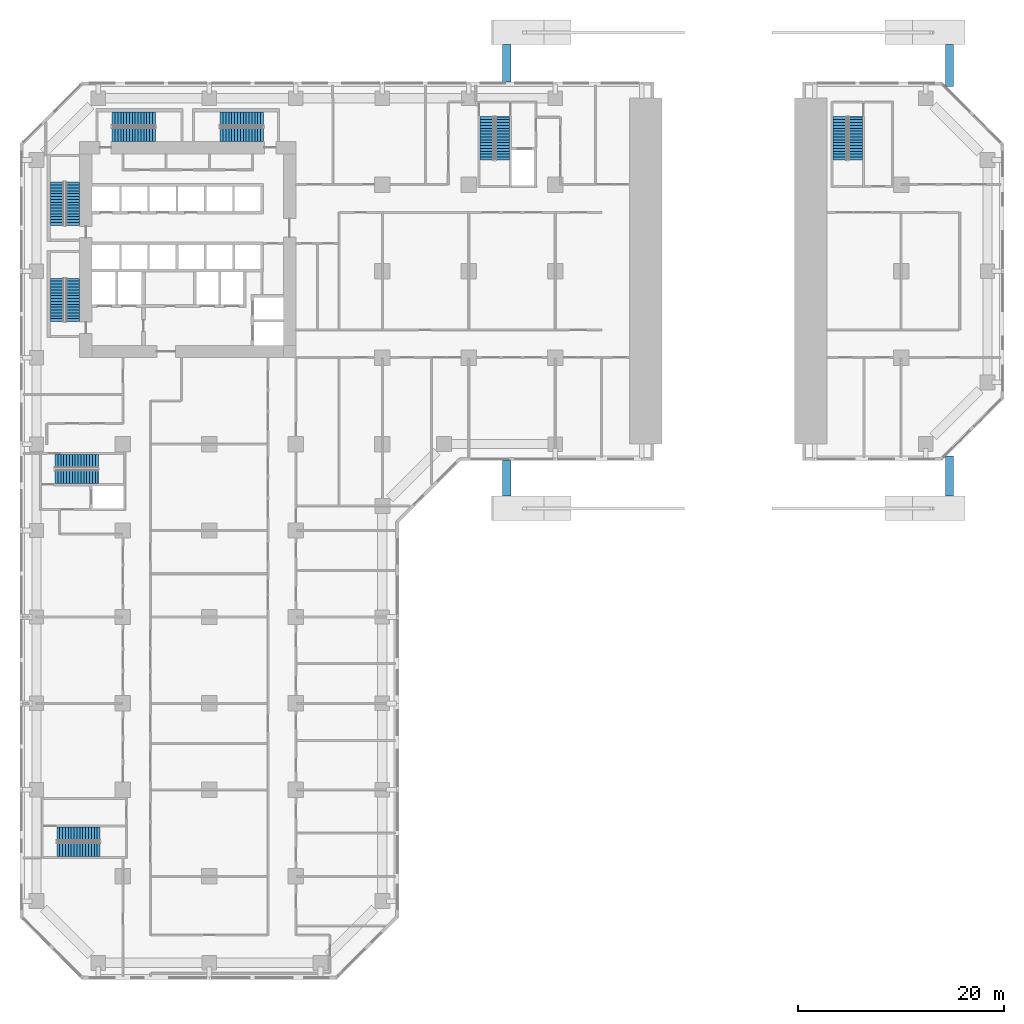
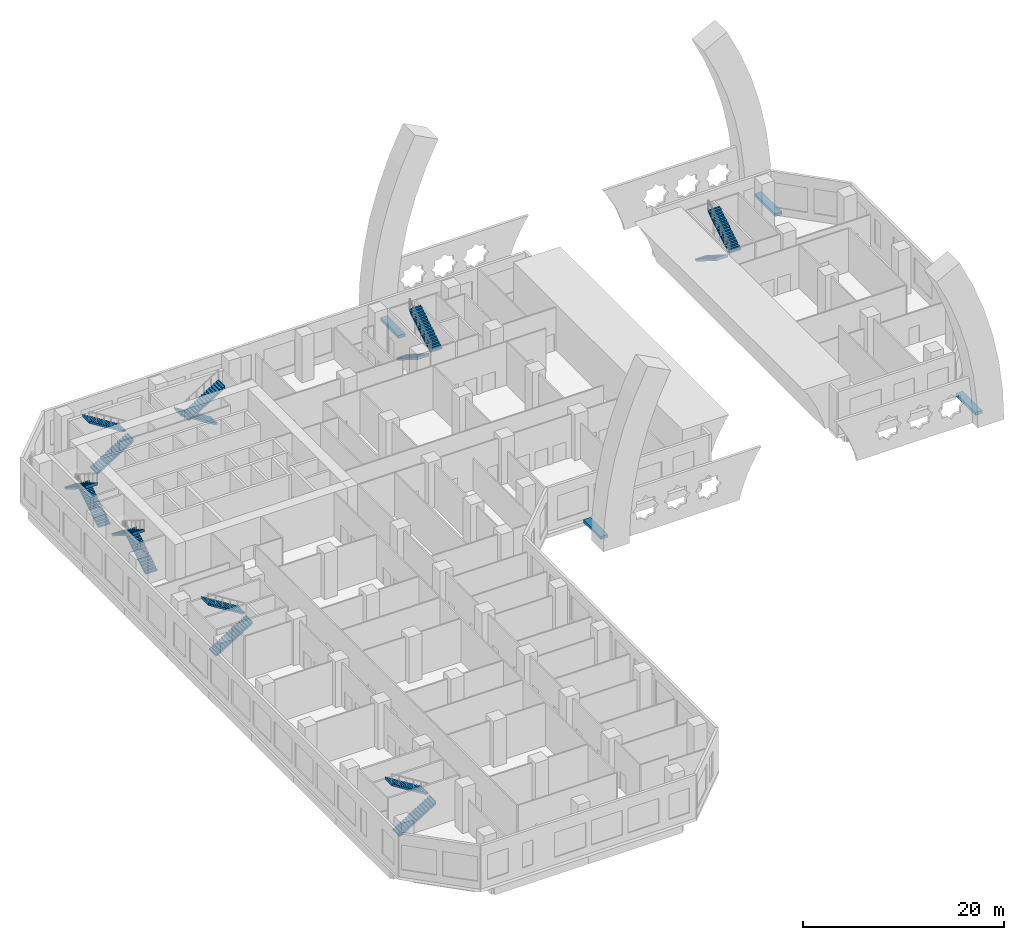
# One storey, part 13 of 19: 16 stair flights, 4 discrete accessories, 8 elements without a shape of their own.
"""IFC4 building model written with IfcOpenShell, lengths in metres."""

import ifcopenshell
import ifcopenshell.guid

model = None  # the IFC model being written
_history = None  # IfcOwnerHistory: only IFC2X3 demands one
_inside = {}  # id of a spatial element -> (the spatial element, [elements in it])
_under = {}  # id of a project, library or spatial element -> (it, [spatial elements below it])
_declared = {}  # id of a project -> (the project, [libraries it declares])
_typed = {}  # id of a type object -> (the type object, [elements of that type])
_made_of = {}  # id of a material, layer set ... -> (it, [elements and type objects made of it])


def new_model(schema):
    """Start an empty IFC model of exactly this schema.

    Asked for "IFC4X3", IfcOpenShell would pick the latest addendum, in which some entities
    have other attributes; the version numbers below select the first issue.
    IFC2X3 requires an IfcOwnerHistory on every rooted entity: one is made here for all.
    """
    global model, _history
    if schema == "IFC4X3":
        model = ifcopenshell.file(schema_version=(4, 3, 0, 0))
    else:
        model = ifcopenshell.file(schema=schema)
    _inside.clear()
    _under.clear()
    _declared.clear()
    _typed.clear()
    _made_of.clear()
    _history = None
    if model.schema == "IFC2X3":
        org = make("IfcOrganization", Name="unknown")
        user = make(
            "IfcPersonAndOrganization",
            ThePerson=make("IfcPerson", FamilyName="unknown"),
            TheOrganization=org,
        )
        app = make(
            "IfcApplication",
            ApplicationDeveloper=org,
            Version="unknown",
            ApplicationFullName="unknown",
            ApplicationIdentifier="unknown",
        )
        _history = make(
            "IfcOwnerHistory",
            OwningUser=user,
            OwningApplication=app,
            ChangeAction="ADDED",
            CreationDate=0,
        )
    return model


def make(cls, **values):
    """One entity of the class cls with the attributes given. An attribute that is None is left unset."""
    return model.create_entity(
        cls, **{name: value for name, value in values.items() if value is not None}
    )


def rooted(cls, **values):
    """An entity with a GlobalId (a new one), such as an element, a storey or a relation."""
    return make(cls, GlobalId=ifcopenshell.guid.new(), OwnerHistory=_history, **values)


def si_unit(unit_type, name, prefix=None):
    """IfcSIUnit, for example si_unit("LENGTHUNIT", "METRE", prefix="MILLI")."""
    return make("IfcSIUnit", UnitType=unit_type, Prefix=prefix, Name=name)


def assignment(units):
    """IfcUnitAssignment: the units of a project."""
    return None if units is None else make("IfcUnitAssignment", Units=units)


def point(xyz):
    """IfcCartesianPoint."""
    return None if xyz is None else make("IfcCartesianPoint", Coordinates=xyz)


def direction(xyz):
    """IfcDirection."""
    return None if xyz is None else make("IfcDirection", DirectionRatios=xyz)


def frame(location, z_axis=None, x_axis=None):
    """IfcAxis2Placement3D, a coordinate frame: its origin and axes. An axis left out is left unset."""
    return make(
        "IfcAxis2Placement3D",
        Location=point(location),
        Axis=direction(z_axis),
        RefDirection=direction(x_axis),
    )


def frame_2d(location, x_axis=None):
    """IfcAxis2Placement2D, a coordinate frame in the plane: its origin and x axis."""
    return make(
        "IfcAxis2Placement2D", Location=point(location), RefDirection=direction(x_axis)
    )


def origin():
    """The frame at (0, 0, 0) with its axes left unset."""
    return frame((0.0, 0.0, 0.0))


def origin_2d():
    """The frame at (0, 0) in the plane with its x axis left unset."""
    return frame_2d((0.0, 0.0))


def place(relative_to, where):
    """IfcLocalPlacement: puts the frame where relative to a parent placement (None: the world)."""
    return make(
        "IfcLocalPlacement", PlacementRelTo=relative_to, RelativePlacement=where
    )


def context(
    kind, dimensions, precision=None, world=None, true_north=None, identifier=None
):
    """IfcGeometricRepresentationContext, for example the 3D "Model" context."""
    return make(
        "IfcGeometricRepresentationContext",
        ContextIdentifier=identifier,
        ContextType=kind,
        CoordinateSpaceDimension=dimensions,
        Precision=precision,
        WorldCoordinateSystem=world,
        TrueNorth=true_north,
    )


def subcontext(parent, identifier, kind, view, scale=None):
    """IfcGeometricRepresentationSubContext, for example "Body" below "Model"."""
    return make(
        "IfcGeometricRepresentationSubContext",
        ContextIdentifier=identifier,
        ContextType=kind,
        ParentContext=parent,
        TargetScale=scale,
        TargetView=view,
    )


def project(units=None, contexts=None):
    """IfcProject with its units and contexts."""
    return rooted(
        "IfcProject",
        Name="project",
        RepresentationContexts=contexts,
        UnitsInContext=assignment(units),
    )


def spatial(cls, under=None, at=None, **own):
    """A site, building, storey or space (cls), placed at a placement, below another one or the project."""
    s = rooted(cls, ObjectPlacement=at, **own)
    if under is not None:
        _under.setdefault(under.id(), (under, []))[1].append(s)
    return s


def polyline(points):
    """IfcPolyline through the points."""
    return make("IfcPolyline", Points=[point(p) for p in points])


def profile(cls, at=None, kind="AREA", **sizes):
    """A parametric profile (cls). Its sizes go by their IFC names, for example OverallWidth=200.0."""
    return make(cls, ProfileType=kind, Position=at, **sizes)


def rectangle(**sizes):
    """IfcRectangleProfileDef."""
    return profile("IfcRectangleProfileDef", **sizes)


def outline(outer, holes=None, kind="AREA"):
    """IfcArbitraryClosedProfileDef: a profile drawn as a closed curve; with holes, ...WithVoids."""
    if holes is None:
        return make("IfcArbitraryClosedProfileDef", ProfileType=kind, OuterCurve=outer)
    return make(
        "IfcArbitraryProfileDefWithVoids",
        ProfileType=kind,
        OuterCurve=outer,
        InnerCurves=holes,
    )


def extrude(swept, where, along, depth):
    """IfcExtrudedAreaSolid: the profile swept, set in the frame where, extruded along a direction by depth."""
    return make(
        "IfcExtrudedAreaSolid",
        SweptArea=swept,
        Position=where,
        ExtrudedDirection=direction(along),
        Depth=depth,
    )


def shape(context_of_items, identifier, shape_type, items):
    """IfcShapeRepresentation: the items that make up one representation, for example the "Body"."""
    return make(
        "IfcShapeRepresentation",
        ContextOfItems=context_of_items,
        RepresentationIdentifier=identifier,
        RepresentationType=shape_type,
        Items=items,
    )


def material(Name=None, Category=None):
    """IfcMaterial."""
    return make("IfcMaterial", Name=Name, Category=Category)


def made_of(thing, what):
    """Note that an element or type object is made of a material, layer set ...; save() writes the relation."""
    if what is not None:
        _made_of.setdefault(what.id(), (what, []))[1].append(thing)
    return thing


def type_object(cls, material=None, **own):
    """A type object (cls), such as IfcWallType, which elements share."""
    return made_of(rooted(cls, **own), material)


def element(
    cls,
    number,
    at=None,
    inside=None,
    cuts=None,
    type_object=None,
    material=None,
    context=None,
    identifier="Body",
    shape_type=None,
    held_by="IfcProductDefinitionShape",
    body=None,
    shapes=None,
    **own,
):
    """One element of the class cls, such as IfcWall. Its Tag is "e" and its number.

    at: its placement. inside: the storey or other place that contains it. cuts: it is an
    opening in that element (IfcRelVoidsElement). A single representation is given by context,
    identifier, shape_type and body (its items); several are given by shapes. held_by: the class
    of the entity that holds the representations. save() writes the other relations.
    """
    e = rooted(cls, Tag="e%d" % number, ObjectPlacement=at, **own)
    if body is not None:
        shapes = [shape(context, identifier, shape_type, body)]
    if shapes is not None:
        e.Representation = make(held_by, Representations=shapes)
    if inside is not None:
        _inside.setdefault(inside.id(), (inside, []))[1].append(e)
    if cuts is not None:
        rooted(
            "IfcRelVoidsElement", RelatingBuildingElement=cuts, RelatedOpeningElement=e
        )
    if type_object is not None:
        _typed.setdefault(type_object.id(), (type_object, []))[1].append(e)
    return made_of(e, material)


def aggregate(whole, parts):
    """IfcRelAggregates: a whole, such as a stair, and the parts it consists of."""
    return rooted("IfcRelAggregates", RelatingObject=whole, RelatedObjects=parts)


def save(model, path):
    """Write the relations noted so far, then the file.

    IfcRelAggregates (storeys below a building ...), IfcRelContainedInSpatialStructure (elements
    in a storey), IfcRelDefinesByType, IfcRelAssociatesMaterial and IfcRelDeclares: one each for
    every whole, place, type object, material and project.
    """
    for whole, parts in _under.values():
        aggregate(whole, parts)
    for where, things in _inside.values():
        rooted(
            "IfcRelContainedInSpatialStructure",
            RelatedElements=things,
            RelatingStructure=where,
        )
    for kind, things in _typed.values():
        rooted("IfcRelDefinesByType", RelatedObjects=things, RelatingType=kind)
    for what, things in _made_of.values():
        rooted("IfcRelAssociatesMaterial", RelatedObjects=things, RelatingMaterial=what)
    for by, libraries in _declared.values():
        rooted("IfcRelDeclares", RelatingContext=by, RelatedDefinitions=libraries)
    model.write(path)


model = new_model("IFC4")

# Units and contexts
model_context = context("Model", 3, precision=1e-05, world=origin(), true_north=direction((0.0, 1.0)))
body_context = subcontext(model_context, "Body", "Model", "MODEL_VIEW")
ifc_project = project(units=[si_unit("LENGTHUNIT", "METRE"), si_unit("AREAUNIT", "SQUARE_METRE"), si_unit("VOLUMEUNIT", "CUBIC_METRE"), si_unit("PLANEANGLEUNIT", "RADIAN"), si_unit("MASSUNIT", "GRAM", prefix="KILO")], contexts=[model_context])

# Site, building, storey
site_placement = place(None, origin())
site = spatial("IfcSite", under=ifc_project, at=site_placement, CompositionType="ELEMENT")
building_placement = place(site_placement, origin())
building = spatial("IfcBuilding", under=site, at=building_placement, Name="Kawkab Arch Medical Tower", CompositionType="ELEMENT")
storey_placement = place(building_placement, frame((0.0, 0.0, 12.60009765625)))
storey = spatial("IfcBuildingStorey", under=building, at=storey_placement, Name="L03", CompositionType="ELEMENT", Elevation=12.60009765625)

# Stair, stair flights
ifc_material_1 = material(Name="Concrete C40/50", Category="concrete")
stair_type = type_object("IfcStairType", Name="Exit stair 1350", PredefinedType="HALF_TURN_STAIR", material=ifc_material_1)
placement = place(storey_placement, origin())
stair_1 = element("IfcStair", 1, at=placement, inside=storey, type_object=stair_type, Name="L03 Exit stair ST1", PredefinedType="HALF_TURN_STAIR")
ifc_material_2 = material(Name="Concrete C40/50", Category="concrete")
stair_flight_type = type_object("IfcStairFlightType", Name="Exit stair flight 1350", PredefinedType="STRAIGHT", material=ifc_material_2)
stair_flight_1_placement = place(storey_placement, frame((3.52490234375, -12.35009765625, 0.0), z_axis=(0.0, 0.0, 1.0), x_axis=(0.0, 1.0, 0.0)))
stair_flight_1 = element("IfcStairFlight", 2, at=stair_flight_1_placement, type_object=stair_flight_type, Name="ST1 flight 1", NumberOfRisers=16, NumberOfTreads=15, PredefinedType="STRAIGHT", RiserHeight=0.175, TreadLength=0.28, context=body_context, shape_type="SweptSolid", body=[
    extrude(outline(polyline([(-0.0029296875, 0.0), (-0.0029296875, 0.175048828125), (0.0, 0.175048828125), (0.280029296875, 0.175048828125), (0.280029296875, 0.35009765625), (0.56005859375, 0.35009765625), (0.56005859375, 0.52490234375), (0.840087890625, 0.52490234375), (0.840087890625, 0.699951171875), (1.1201171875, 0.699951171875), (1.1201171875, 0.875), (1.39990234375, 0.875), (1.39990234375, 1.050048828125), (1.679931640625, 1.050048828125), (1.679931640625, 1.22509765625), (1.9599609375, 1.22509765625), (1.9599609375, 1.39990234375), (2.239990234375, 1.39990234375), (2.239990234375, 1.574951171875), (2.52001953125, 1.574951171875), (2.52001953125, 1.75), (2.800048828125, 1.75), (2.800048828125, 1.925048828125), (3.080078125, 1.925048828125), (3.080078125, 2.10009765625), (3.360107421875, 2.10009765625), (3.360107421875, 2.27490234375), (3.639892578125, 2.27490234375), (3.639892578125, 2.449951171875), (3.919921875, 2.449951171875), (3.919921875, 2.625), (4.199951171875, 2.625), (4.199951171875, 2.800048828125), (4.202880859375, 2.800048828125), (4.202880859375, 2.4482421875), (4.199951171875, 2.4482421875), (0.28271484375, 0.0), (-0.0029296875, 0.0)])), frame((0.0, 0.675048828125, 0.0), z_axis=(0.0, -1.0, 0.0), x_axis=(1.0, 0.0, 0.0)), (0.0, 0.0, 1.0), 1.35009765625),
])
stair_flight_2_placement = place(storey_placement, frame((2.02490234375, -8.14990234375, 2.7998046875), z_axis=(0.0, 0.0, 1.0), x_axis=(0.0, -1.0, 0.0)))
stair_flight_2 = element("IfcStairFlight", 3, at=stair_flight_2_placement, type_object=stair_flight_type, Name="ST1 flight 2", NumberOfRisers=16, NumberOfTreads=15, PredefinedType="STRAIGHT", RiserHeight=0.175, TreadLength=0.28, context=body_context, shape_type="SweptSolid", body=[
    extrude(outline(polyline([(-0.0029296875, 0.0), (-0.0029296875, 0.175048828125), (0.0, 0.175048828125), (0.280029296875, 0.175048828125), (0.280029296875, 0.35009765625), (0.56005859375, 0.35009765625), (0.56005859375, 0.52490234375), (0.840087890625, 0.52490234375), (0.840087890625, 0.699951171875), (1.1201171875, 0.699951171875), (1.1201171875, 0.875), (1.39990234375, 0.875), (1.39990234375, 1.050048828125), (1.679931640625, 1.050048828125), (1.679931640625, 1.22509765625), (1.9599609375, 1.22509765625), (1.9599609375, 1.39990234375), (2.239990234375, 1.39990234375), (2.239990234375, 1.574951171875), (2.52001953125, 1.574951171875), (2.52001953125, 1.75), (2.800048828125, 1.75), (2.800048828125, 1.925048828125), (3.080078125, 1.925048828125), (3.080078125, 2.10009765625), (3.360107421875, 2.10009765625), (3.360107421875, 2.27490234375), (3.639892578125, 2.27490234375), (3.639892578125, 2.449951171875), (3.919921875, 2.449951171875), (3.919921875, 2.625), (4.199951171875, 2.625), (4.199951171875, 2.800048828125), (4.202880859375, 2.800048828125), (4.202880859375, 2.4482421875), (4.199951171875, 2.4482421875), (0.28271484375, 0.0), (-0.0029296875, 0.0)])), frame((0.0, 0.675048828125, 0.0), z_axis=(0.0, -1.0, 0.0), x_axis=(1.0, 0.0, 0.0)), (0.0, 0.0, 1.0), 1.35009765625),
])
aggregate(stair_1, [stair_flight_1, stair_flight_2])

stair_2 = element("IfcStair", 4, at=placement, inside=storey, type_object=stair_type, Name="L03 Exit stair ST10", PredefinedType="HALF_TURN_STAIR")
stair_flight_3_placement = place(storey_placement, frame((1.97509765625, -72.97509765625, 0.0), z_axis=(0.0, 0.0, 1.0), x_axis=(1.0, 0.0, 0.0)))
stair_flight_3 = element("IfcStairFlight", 5, at=stair_flight_3_placement, type_object=stair_flight_type, Name="ST10 flight 1", NumberOfRisers=16, NumberOfTreads=15, PredefinedType="STRAIGHT", RiserHeight=0.175, TreadLength=0.28, context=body_context, shape_type="SweptSolid", body=[
    extrude(outline(polyline([(-0.0029296875, 0.0), (-0.0029296875, 0.175048828125), (0.0, 0.175048828125), (0.280029296875, 0.175048828125), (0.280029296875, 0.35009765625), (0.56005859375, 0.35009765625), (0.56005859375, 0.52490234375), (0.840087890625, 0.52490234375), (0.840087890625, 0.699951171875), (1.1201171875, 0.699951171875), (1.1201171875, 0.875), (1.39990234375, 0.875), (1.39990234375, 1.050048828125), (1.679931640625, 1.050048828125), (1.679931640625, 1.22509765625), (1.9599609375, 1.22509765625), (1.9599609375, 1.39990234375), (2.239990234375, 1.39990234375), (2.239990234375, 1.574951171875), (2.52001953125, 1.574951171875), (2.52001953125, 1.75), (2.800048828125, 1.75), (2.800048828125, 1.925048828125), (3.080078125, 1.925048828125), (3.080078125, 2.10009765625), (3.360107421875, 2.10009765625), (3.360107421875, 2.27490234375), (3.639892578125, 2.27490234375), (3.639892578125, 2.449951171875), (3.919921875, 2.449951171875), (3.919921875, 2.625), (4.199951171875, 2.625), (4.199951171875, 2.800048828125), (4.202880859375, 2.800048828125), (4.202880859375, 2.4482421875), (4.199951171875, 2.4482421875), (0.28271484375, 0.0), (-0.0029296875, 0.0)])), frame((0.0, 0.675048828125, 0.0), z_axis=(0.0, -1.0, 0.0), x_axis=(1.0, 0.0, 0.0)), (0.0, 0.0, 1.0), 1.35009765625),
])
stair_flight_4_placement = place(storey_placement, frame((6.175048828125, -71.47509765625, 2.7998046875), z_axis=(0.0, 0.0, 1.0), x_axis=(-1.0, 0.0, 0.0)))
stair_flight_4 = element("IfcStairFlight", 6, at=stair_flight_4_placement, type_object=stair_flight_type, Name="ST10 flight 2", NumberOfRisers=16, NumberOfTreads=15, PredefinedType="STRAIGHT", RiserHeight=0.175, TreadLength=0.28, context=body_context, shape_type="SweptSolid", body=[
    extrude(outline(polyline([(-0.0029296875, 0.0), (-0.0029296875, 0.175048828125), (0.0, 0.175048828125), (0.280029296875, 0.175048828125), (0.280029296875, 0.35009765625), (0.56005859375, 0.35009765625), (0.56005859375, 0.52490234375), (0.840087890625, 0.52490234375), (0.840087890625, 0.699951171875), (1.1201171875, 0.699951171875), (1.1201171875, 0.875), (1.39990234375, 0.875), (1.39990234375, 1.050048828125), (1.679931640625, 1.050048828125), (1.679931640625, 1.22509765625), (1.9599609375, 1.22509765625), (1.9599609375, 1.39990234375), (2.239990234375, 1.39990234375), (2.239990234375, 1.574951171875), (2.52001953125, 1.574951171875), (2.52001953125, 1.75), (2.800048828125, 1.75), (2.800048828125, 1.925048828125), (3.080078125, 1.925048828125), (3.080078125, 2.10009765625), (3.360107421875, 2.10009765625), (3.360107421875, 2.27490234375), (3.639892578125, 2.27490234375), (3.639892578125, 2.449951171875), (3.919921875, 2.449951171875), (3.919921875, 2.625), (4.199951171875, 2.625), (4.199951171875, 2.800048828125), (4.202880859375, 2.800048828125), (4.202880859375, 2.4482421875), (4.199951171875, 2.4482421875), (0.28271484375, 0.0), (-0.0029296875, 0.0)])), frame((0.0, 0.675048828125, 0.0), z_axis=(0.0, -1.0, 0.0), x_axis=(1.0, 0.0, 0.0)), (0.0, 0.0, 1.0), 1.35009765625),
])
aggregate(stair_2, [stair_flight_3, stair_flight_4])

stair_3 = element("IfcStair", 7, at=placement, inside=storey, type_object=stair_type, Name="L03 Exit stair ST2", PredefinedType="HALF_TURN_STAIR")
stair_flight_5_placement = place(storey_placement, frame((3.52490234375, -21.699951171875, 0.0), z_axis=(0.0, 0.0, 1.0), x_axis=(0.0, 1.0, 0.0)))
stair_flight_5 = element("IfcStairFlight", 8, at=stair_flight_5_placement, type_object=stair_flight_type, Name="ST2 flight 1", NumberOfRisers=16, NumberOfTreads=15, PredefinedType="STRAIGHT", RiserHeight=0.175, TreadLength=0.28, context=body_context, shape_type="SweptSolid", body=[
    extrude(outline(polyline([(-0.0029296875, 0.0), (-0.0029296875, 0.175048828125), (0.0, 0.175048828125), (0.280029296875, 0.175048828125), (0.280029296875, 0.35009765625), (0.56005859375, 0.35009765625), (0.56005859375, 0.52490234375), (0.840087890625, 0.52490234375), (0.840087890625, 0.699951171875), (1.1201171875, 0.699951171875), (1.1201171875, 0.875), (1.39990234375, 0.875), (1.39990234375, 1.050048828125), (1.679931640625, 1.050048828125), (1.679931640625, 1.22509765625), (1.9599609375, 1.22509765625), (1.9599609375, 1.39990234375), (2.239990234375, 1.39990234375), (2.239990234375, 1.574951171875), (2.52001953125, 1.574951171875), (2.52001953125, 1.75), (2.800048828125, 1.75), (2.800048828125, 1.925048828125), (3.080078125, 1.925048828125), (3.080078125, 2.10009765625), (3.360107421875, 2.10009765625), (3.360107421875, 2.27490234375), (3.639892578125, 2.27490234375), (3.639892578125, 2.449951171875), (3.919921875, 2.449951171875), (3.919921875, 2.625), (4.199951171875, 2.625), (4.199951171875, 2.800048828125), (4.202880859375, 2.800048828125), (4.202880859375, 2.4482421875), (4.199951171875, 2.4482421875), (0.28271484375, 0.0), (-0.0029296875, 0.0)])), frame((0.0, 0.675048828125, 0.0), z_axis=(0.0, -1.0, 0.0), x_axis=(1.0, 0.0, 0.0)), (0.0, 0.0, 1.0), 1.35009765625),
])
stair_flight_6_placement = place(storey_placement, frame((2.02490234375, -17.5, 2.7998046875), z_axis=(0.0, 0.0, 1.0), x_axis=(0.0, -1.0, 0.0)))
stair_flight_6 = element("IfcStairFlight", 9, at=stair_flight_6_placement, type_object=stair_flight_type, Name="ST2 flight 2", NumberOfRisers=16, NumberOfTreads=15, PredefinedType="STRAIGHT", RiserHeight=0.175, TreadLength=0.28, context=body_context, shape_type="SweptSolid", body=[
    extrude(outline(polyline([(-0.0029296875, 0.0), (-0.0029296875, 0.175048828125), (0.0, 0.175048828125), (0.280029296875, 0.175048828125), (0.280029296875, 0.35009765625), (0.56005859375, 0.35009765625), (0.56005859375, 0.52490234375), (0.840087890625, 0.52490234375), (0.840087890625, 0.699951171875), (1.1201171875, 0.699951171875), (1.1201171875, 0.875), (1.39990234375, 0.875), (1.39990234375, 1.050048828125), (1.679931640625, 1.050048828125), (1.679931640625, 1.22509765625), (1.9599609375, 1.22509765625), (1.9599609375, 1.39990234375), (2.239990234375, 1.39990234375), (2.239990234375, 1.574951171875), (2.52001953125, 1.574951171875), (2.52001953125, 1.75), (2.800048828125, 1.75), (2.800048828125, 1.925048828125), (3.080078125, 1.925048828125), (3.080078125, 2.10009765625), (3.360107421875, 2.10009765625), (3.360107421875, 2.27490234375), (3.639892578125, 2.27490234375), (3.639892578125, 2.449951171875), (3.919921875, 2.449951171875), (3.919921875, 2.625), (4.199951171875, 2.625), (4.199951171875, 2.800048828125), (4.202880859375, 2.800048828125), (4.202880859375, 2.4482421875), (4.199951171875, 2.4482421875), (0.28271484375, 0.0), (-0.0029296875, 0.0)])), frame((0.0, 0.675048828125, 0.0), z_axis=(0.0, -1.0, 0.0), x_axis=(1.0, 0.0, 0.0)), (0.0, 0.0, 1.0), 1.35009765625),
])
aggregate(stair_3, [stair_flight_5, stair_flight_6])

stair_4 = element("IfcStair", 10, at=placement, inside=storey, type_object=stair_type, Name="L03 Exit stair ST3", PredefinedType="HALF_TURN_STAIR")
stair_flight_7_placement = place(storey_placement, frame((7.35009765625, -3.52490234375, 0.0), z_axis=(0.0, 0.0, 1.0), x_axis=(1.0, 0.0, 0.0)))
stair_flight_7 = element("IfcStairFlight", 11, at=stair_flight_7_placement, type_object=stair_flight_type, Name="ST3 flight 1", NumberOfRisers=16, NumberOfTreads=15, PredefinedType="STRAIGHT", RiserHeight=0.175, TreadLength=0.28, context=body_context, shape_type="SweptSolid", body=[
    extrude(outline(polyline([(-0.0029296875, 0.0), (-0.0029296875, 0.175048828125), (0.0, 0.175048828125), (0.280029296875, 0.175048828125), (0.280029296875, 0.35009765625), (0.56005859375, 0.35009765625), (0.56005859375, 0.52490234375), (0.840087890625, 0.52490234375), (0.840087890625, 0.699951171875), (1.1201171875, 0.699951171875), (1.1201171875, 0.875), (1.39990234375, 0.875), (1.39990234375, 1.050048828125), (1.679931640625, 1.050048828125), (1.679931640625, 1.22509765625), (1.9599609375, 1.22509765625), (1.9599609375, 1.39990234375), (2.239990234375, 1.39990234375), (2.239990234375, 1.574951171875), (2.52001953125, 1.574951171875), (2.52001953125, 1.75), (2.800048828125, 1.75), (2.800048828125, 1.925048828125), (3.080078125, 1.925048828125), (3.080078125, 2.10009765625), (3.360107421875, 2.10009765625), (3.360107421875, 2.27490234375), (3.639892578125, 2.27490234375), (3.639892578125, 2.449951171875), (3.919921875, 2.449951171875), (3.919921875, 2.625), (4.199951171875, 2.625), (4.199951171875, 2.800048828125), (4.202880859375, 2.800048828125), (4.202880859375, 2.4482421875), (4.199951171875, 2.4482421875), (0.28271484375, 0.0), (-0.0029296875, 0.0)])), frame((0.0, 0.675048828125, 0.0), z_axis=(0.0, -1.0, 0.0), x_axis=(1.0, 0.0, 0.0)), (0.0, 0.0, 1.0), 1.35009765625),
])
stair_flight_8_placement = place(storey_placement, frame((11.550048828125, -2.02490234375, 2.7998046875), z_axis=(0.0, 0.0, 1.0), x_axis=(-1.0, 0.0, 0.0)))
stair_flight_8 = element("IfcStairFlight", 12, at=stair_flight_8_placement, type_object=stair_flight_type, Name="ST3 flight 2", NumberOfRisers=16, NumberOfTreads=15, PredefinedType="STRAIGHT", RiserHeight=0.175, TreadLength=0.28, context=body_context, shape_type="SweptSolid", body=[
    extrude(outline(polyline([(-0.0029296875, 0.0), (-0.0029296875, 0.175048828125), (0.0, 0.175048828125), (0.280029296875, 0.175048828125), (0.280029296875, 0.35009765625), (0.56005859375, 0.35009765625), (0.56005859375, 0.52490234375), (0.840087890625, 0.52490234375), (0.840087890625, 0.699951171875), (1.1201171875, 0.699951171875), (1.1201171875, 0.875), (1.39990234375, 0.875), (1.39990234375, 1.050048828125), (1.679931640625, 1.050048828125), (1.679931640625, 1.22509765625), (1.9599609375, 1.22509765625), (1.9599609375, 1.39990234375), (2.239990234375, 1.39990234375), (2.239990234375, 1.574951171875), (2.52001953125, 1.574951171875), (2.52001953125, 1.75), (2.800048828125, 1.75), (2.800048828125, 1.925048828125), (3.080078125, 1.925048828125), (3.080078125, 2.10009765625), (3.360107421875, 2.10009765625), (3.360107421875, 2.27490234375), (3.639892578125, 2.27490234375), (3.639892578125, 2.449951171875), (3.919921875, 2.449951171875), (3.919921875, 2.625), (4.199951171875, 2.625), (4.199951171875, 2.800048828125), (4.202880859375, 2.800048828125), (4.202880859375, 2.4482421875), (4.199951171875, 2.4482421875), (0.28271484375, 0.0), (-0.0029296875, 0.0)])), frame((0.0, 0.675048828125, 0.0), z_axis=(0.0, -1.0, 0.0), x_axis=(1.0, 0.0, 0.0)), (0.0, 0.0, 1.0), 1.35009765625),
])
aggregate(stair_4, [stair_flight_7, stair_flight_8])

stair_5 = element("IfcStair", 13, at=placement, inside=storey, type_object=stair_type, Name="L03 Exit stair ST4", PredefinedType="HALF_TURN_STAIR")
stair_flight_9_placement = place(storey_placement, frame((22.050048828125, -2.02490234375, 0.0), z_axis=(0.0, 0.0, 1.0), x_axis=(-1.0, 0.0, 0.0)))
stair_flight_9 = element("IfcStairFlight", 14, at=stair_flight_9_placement, type_object=stair_flight_type, Name="ST4 flight 1", NumberOfRisers=16, NumberOfTreads=15, PredefinedType="STRAIGHT", RiserHeight=0.175, TreadLength=0.28, context=body_context, shape_type="SweptSolid", body=[
    extrude(outline(polyline([(-0.0029296875, 0.0), (-0.0029296875, 0.175048828125), (0.0, 0.175048828125), (0.280029296875, 0.175048828125), (0.280029296875, 0.35009765625), (0.56005859375, 0.35009765625), (0.56005859375, 0.52490234375), (0.840087890625, 0.52490234375), (0.840087890625, 0.699951171875), (1.1201171875, 0.699951171875), (1.1201171875, 0.875), (1.39990234375, 0.875), (1.39990234375, 1.050048828125), (1.679931640625, 1.050048828125), (1.679931640625, 1.22509765625), (1.9599609375, 1.22509765625), (1.9599609375, 1.39990234375), (2.239990234375, 1.39990234375), (2.239990234375, 1.574951171875), (2.52001953125, 1.574951171875), (2.52001953125, 1.75), (2.800048828125, 1.75), (2.800048828125, 1.925048828125), (3.080078125, 1.925048828125), (3.080078125, 2.10009765625), (3.360107421875, 2.10009765625), (3.360107421875, 2.27490234375), (3.639892578125, 2.27490234375), (3.639892578125, 2.449951171875), (3.919921875, 2.449951171875), (3.919921875, 2.625), (4.199951171875, 2.625), (4.199951171875, 2.800048828125), (4.202880859375, 2.800048828125), (4.202880859375, 2.4482421875), (4.199951171875, 2.4482421875), (0.28271484375, 0.0), (-0.0029296875, 0.0)])), frame((0.0, 0.675048828125, 0.0), z_axis=(0.0, -1.0, 0.0), x_axis=(1.0, 0.0, 0.0)), (0.0, 0.0, 1.0), 1.35009765625),
])
stair_flight_10_placement = place(storey_placement, frame((17.85009765625, -3.52490234375, 2.7998046875), z_axis=(0.0, 0.0, 1.0), x_axis=(1.0, 0.0, 0.0)))
stair_flight_10 = element("IfcStairFlight", 15, at=stair_flight_10_placement, type_object=stair_flight_type, Name="ST4 flight 2", NumberOfRisers=16, NumberOfTreads=15, PredefinedType="STRAIGHT", RiserHeight=0.175, TreadLength=0.28, context=body_context, shape_type="SweptSolid", body=[
    extrude(outline(polyline([(-0.0029296875, 0.0), (-0.0029296875, 0.175048828125), (0.0, 0.175048828125), (0.280029296875, 0.175048828125), (0.280029296875, 0.35009765625), (0.56005859375, 0.35009765625), (0.56005859375, 0.52490234375), (0.840087890625, 0.52490234375), (0.840087890625, 0.699951171875), (1.1201171875, 0.699951171875), (1.1201171875, 0.875), (1.39990234375, 0.875), (1.39990234375, 1.050048828125), (1.679931640625, 1.050048828125), (1.679931640625, 1.22509765625), (1.9599609375, 1.22509765625), (1.9599609375, 1.39990234375), (2.239990234375, 1.39990234375), (2.239990234375, 1.574951171875), (2.52001953125, 1.574951171875), (2.52001953125, 1.75), (2.800048828125, 1.75), (2.800048828125, 1.925048828125), (3.080078125, 1.925048828125), (3.080078125, 2.10009765625), (3.360107421875, 2.10009765625), (3.360107421875, 2.27490234375), (3.639892578125, 2.27490234375), (3.639892578125, 2.449951171875), (3.919921875, 2.449951171875), (3.919921875, 2.625), (4.199951171875, 2.625), (4.199951171875, 2.800048828125), (4.202880859375, 2.800048828125), (4.202880859375, 2.4482421875), (4.199951171875, 2.4482421875), (0.28271484375, 0.0), (-0.0029296875, 0.0)])), frame((0.0, 0.675048828125, 0.0), z_axis=(0.0, -1.0, 0.0), x_axis=(1.0, 0.0, 0.0)), (0.0, 0.0, 1.0), 1.35009765625),
])
aggregate(stair_5, [stair_flight_9, stair_flight_10])

stair_6 = element("IfcStair", 16, at=placement, inside=storey, type_object=stair_type, Name="L03 Exit stair ST5", PredefinedType="HALF_TURN_STAIR")
stair_flight_11_placement = place(storey_placement, frame((43.77490234375, -1.800048828125, 0.0), z_axis=(0.0, 0.0, 1.0), x_axis=(0.0, -1.0, 0.0)))
stair_flight_11 = element("IfcStairFlight", 17, at=stair_flight_11_placement, type_object=stair_flight_type, Name="ST5 flight 1", NumberOfRisers=16, NumberOfTreads=15, PredefinedType="STRAIGHT", RiserHeight=0.175, TreadLength=0.28, context=body_context, shape_type="SweptSolid", body=[
    extrude(outline(polyline([(-0.0029296875, 0.0), (-0.0029296875, 0.175048828125), (0.0, 0.175048828125), (0.280029296875, 0.175048828125), (0.280029296875, 0.35009765625), (0.56005859375, 0.35009765625), (0.56005859375, 0.52490234375), (0.840087890625, 0.52490234375), (0.840087890625, 0.699951171875), (1.1201171875, 0.699951171875), (1.1201171875, 0.875), (1.39990234375, 0.875), (1.39990234375, 1.050048828125), (1.679931640625, 1.050048828125), (1.679931640625, 1.22509765625), (1.9599609375, 1.22509765625), (1.9599609375, 1.39990234375), (2.239990234375, 1.39990234375), (2.239990234375, 1.574951171875), (2.52001953125, 1.574951171875), (2.52001953125, 1.75), (2.800048828125, 1.75), (2.800048828125, 1.925048828125), (3.080078125, 1.925048828125), (3.080078125, 2.10009765625), (3.360107421875, 2.10009765625), (3.360107421875, 2.27490234375), (3.639892578125, 2.27490234375), (3.639892578125, 2.449951171875), (3.919921875, 2.449951171875), (3.919921875, 2.625), (4.199951171875, 2.625), (4.199951171875, 2.800048828125), (4.202880859375, 2.800048828125), (4.202880859375, 2.4482421875), (4.199951171875, 2.4482421875), (0.28271484375, 0.0), (-0.0029296875, 0.0)])), frame((0.0, 0.675048828125, 0.0), z_axis=(0.0, -1.0, 0.0), x_axis=(1.0, 0.0, 0.0)), (0.0, 0.0, 1.0), 1.35009765625),
])
stair_flight_12_placement = place(storey_placement, frame((45.27490234375, -6.0, 2.7998046875), z_axis=(0.0, 0.0, 1.0), x_axis=(0.0, 1.0, 0.0)))
stair_flight_12 = element("IfcStairFlight", 18, at=stair_flight_12_placement, type_object=stair_flight_type, Name="ST5 flight 2", NumberOfRisers=16, NumberOfTreads=15, PredefinedType="STRAIGHT", RiserHeight=0.175, TreadLength=0.28, context=body_context, shape_type="SweptSolid", body=[
    extrude(outline(polyline([(-0.0029296875, 0.0), (-0.0029296875, 0.175048828125), (0.0, 0.175048828125), (0.280029296875, 0.175048828125), (0.280029296875, 0.35009765625), (0.56005859375, 0.35009765625), (0.56005859375, 0.52490234375), (0.840087890625, 0.52490234375), (0.840087890625, 0.699951171875), (1.1201171875, 0.699951171875), (1.1201171875, 0.875), (1.39990234375, 0.875), (1.39990234375, 1.050048828125), (1.679931640625, 1.050048828125), (1.679931640625, 1.22509765625), (1.9599609375, 1.22509765625), (1.9599609375, 1.39990234375), (2.239990234375, 1.39990234375), (2.239990234375, 1.574951171875), (2.52001953125, 1.574951171875), (2.52001953125, 1.75), (2.800048828125, 1.75), (2.800048828125, 1.925048828125), (3.080078125, 1.925048828125), (3.080078125, 2.10009765625), (3.360107421875, 2.10009765625), (3.360107421875, 2.27490234375), (3.639892578125, 2.27490234375), (3.639892578125, 2.449951171875), (3.919921875, 2.449951171875), (3.919921875, 2.625), (4.199951171875, 2.625), (4.199951171875, 2.800048828125), (4.202880859375, 2.800048828125), (4.202880859375, 2.4482421875), (4.199951171875, 2.4482421875), (0.28271484375, 0.0), (-0.0029296875, 0.0)])), frame((0.0, 0.675048828125, 0.0), z_axis=(0.0, -1.0, 0.0), x_axis=(1.0, 0.0, 0.0)), (0.0, 0.0, 1.0), 1.35009765625),
])
aggregate(stair_6, [stair_flight_11, stair_flight_12])

stair_7 = element("IfcStair", 19, at=placement, inside=storey, type_object=stair_type, Name="L03 Exit stair ST6", PredefinedType="HALF_TURN_STAIR")
stair_flight_13_placement = place(storey_placement, frame((1.800048828125, -36.77490234375, 0.0), z_axis=(0.0, 0.0, 1.0), x_axis=(1.0, 0.0, 0.0)))
stair_flight_13 = element("IfcStairFlight", 20, at=stair_flight_13_placement, type_object=stair_flight_type, Name="ST6 flight 1", NumberOfRisers=16, NumberOfTreads=15, PredefinedType="STRAIGHT", RiserHeight=0.175, TreadLength=0.28, context=body_context, shape_type="SweptSolid", body=[
    extrude(outline(polyline([(-0.0029296875, 0.0), (-0.0029296875, 0.175048828125), (0.0, 0.175048828125), (0.280029296875, 0.175048828125), (0.280029296875, 0.35009765625), (0.56005859375, 0.35009765625), (0.56005859375, 0.52490234375), (0.840087890625, 0.52490234375), (0.840087890625, 0.699951171875), (1.1201171875, 0.699951171875), (1.1201171875, 0.875), (1.39990234375, 0.875), (1.39990234375, 1.050048828125), (1.679931640625, 1.050048828125), (1.679931640625, 1.22509765625), (1.9599609375, 1.22509765625), (1.9599609375, 1.39990234375), (2.239990234375, 1.39990234375), (2.239990234375, 1.574951171875), (2.52001953125, 1.574951171875), (2.52001953125, 1.75), (2.800048828125, 1.75), (2.800048828125, 1.925048828125), (3.080078125, 1.925048828125), (3.080078125, 2.10009765625), (3.360107421875, 2.10009765625), (3.360107421875, 2.27490234375), (3.639892578125, 2.27490234375), (3.639892578125, 2.449951171875), (3.919921875, 2.449951171875), (3.919921875, 2.625), (4.199951171875, 2.625), (4.199951171875, 2.800048828125), (4.202880859375, 2.800048828125), (4.202880859375, 2.4482421875), (4.199951171875, 2.4482421875), (0.28271484375, 0.0), (-0.0029296875, 0.0)])), frame((0.0, 0.675048828125, 0.0), z_axis=(0.0, -1.0, 0.0), x_axis=(1.0, 0.0, 0.0)), (0.0, 0.0, 1.0), 1.35009765625),
])
stair_flight_14_placement = place(storey_placement, frame((6.0, -35.27490234375, 2.7998046875), z_axis=(0.0, 0.0, 1.0), x_axis=(-1.0, 0.0, 0.0)))
stair_flight_14 = element("IfcStairFlight", 21, at=stair_flight_14_placement, type_object=stair_flight_type, Name="ST6 flight 2", NumberOfRisers=16, NumberOfTreads=15, PredefinedType="STRAIGHT", RiserHeight=0.175, TreadLength=0.28, context=body_context, shape_type="SweptSolid", body=[
    extrude(outline(polyline([(-0.0029296875, 0.0), (-0.0029296875, 0.175048828125), (0.0, 0.175048828125), (0.280029296875, 0.175048828125), (0.280029296875, 0.35009765625), (0.56005859375, 0.35009765625), (0.56005859375, 0.52490234375), (0.840087890625, 0.52490234375), (0.840087890625, 0.699951171875), (1.1201171875, 0.699951171875), (1.1201171875, 0.875), (1.39990234375, 0.875), (1.39990234375, 1.050048828125), (1.679931640625, 1.050048828125), (1.679931640625, 1.22509765625), (1.9599609375, 1.22509765625), (1.9599609375, 1.39990234375), (2.239990234375, 1.39990234375), (2.239990234375, 1.574951171875), (2.52001953125, 1.574951171875), (2.52001953125, 1.75), (2.800048828125, 1.75), (2.800048828125, 1.925048828125), (3.080078125, 1.925048828125), (3.080078125, 2.10009765625), (3.360107421875, 2.10009765625), (3.360107421875, 2.27490234375), (3.639892578125, 2.27490234375), (3.639892578125, 2.449951171875), (3.919921875, 2.449951171875), (3.919921875, 2.625), (4.199951171875, 2.625), (4.199951171875, 2.800048828125), (4.202880859375, 2.800048828125), (4.202880859375, 2.4482421875), (4.199951171875, 2.4482421875), (0.28271484375, 0.0), (-0.0029296875, 0.0)])), frame((0.0, 0.675048828125, 0.0), z_axis=(0.0, -1.0, 0.0), x_axis=(1.0, 0.0, 0.0)), (0.0, 0.0, 1.0), 1.35009765625),
])
aggregate(stair_7, [stair_flight_13, stair_flight_14])

stair_8 = element("IfcStair", 22, at=placement, inside=storey, type_object=stair_type, Name="L03 Exit stair ST7", PredefinedType="HALF_TURN_STAIR")
stair_flight_15_placement = place(storey_placement, frame((78.074951171875, -1.800048828125, 0.0), z_axis=(0.0, 0.0, 1.0), x_axis=(0.0, -1.0, 0.0)))
stair_flight_15 = element("IfcStairFlight", 23, at=stair_flight_15_placement, type_object=stair_flight_type, Name="ST7 flight 1", NumberOfRisers=16, NumberOfTreads=15, PredefinedType="STRAIGHT", RiserHeight=0.175, TreadLength=0.28, context=body_context, shape_type="SweptSolid", body=[
    extrude(outline(polyline([(-0.0029296875, 0.0), (-0.0029296875, 0.175048828125), (0.0, 0.175048828125), (0.280029296875, 0.175048828125), (0.280029296875, 0.35009765625), (0.56005859375, 0.35009765625), (0.56005859375, 0.52490234375), (0.840087890625, 0.52490234375), (0.840087890625, 0.699951171875), (1.1201171875, 0.699951171875), (1.1201171875, 0.875), (1.39990234375, 0.875), (1.39990234375, 1.050048828125), (1.679931640625, 1.050048828125), (1.679931640625, 1.22509765625), (1.9599609375, 1.22509765625), (1.9599609375, 1.39990234375), (2.239990234375, 1.39990234375), (2.239990234375, 1.574951171875), (2.52001953125, 1.574951171875), (2.52001953125, 1.75), (2.800048828125, 1.75), (2.800048828125, 1.925048828125), (3.080078125, 1.925048828125), (3.080078125, 2.10009765625), (3.360107421875, 2.10009765625), (3.360107421875, 2.27490234375), (3.639892578125, 2.27490234375), (3.639892578125, 2.449951171875), (3.919921875, 2.449951171875), (3.919921875, 2.625), (4.199951171875, 2.625), (4.199951171875, 2.800048828125), (4.202880859375, 2.800048828125), (4.202880859375, 2.4482421875), (4.199951171875, 2.4482421875), (0.28271484375, 0.0), (-0.0029296875, 0.0)])), frame((0.0, 0.675048828125, 0.0), z_axis=(0.0, -1.0, 0.0), x_axis=(1.0, 0.0, 0.0)), (0.0, 0.0, 1.0), 1.35009765625),
])
stair_flight_16_placement = place(storey_placement, frame((79.574951171875, -6.0, 2.7998046875), z_axis=(0.0, 0.0, 1.0), x_axis=(0.0, 1.0, 0.0)))
stair_flight_16 = element("IfcStairFlight", 24, at=stair_flight_16_placement, type_object=stair_flight_type, Name="ST7 flight 2", NumberOfRisers=16, NumberOfTreads=15, PredefinedType="STRAIGHT", RiserHeight=0.175, TreadLength=0.28, context=body_context, shape_type="SweptSolid", body=[
    extrude(outline(polyline([(-0.0029296875, 0.0), (-0.0029296875, 0.175048828125), (0.0, 0.175048828125), (0.280029296875, 0.175048828125), (0.280029296875, 0.35009765625), (0.56005859375, 0.35009765625), (0.56005859375, 0.52490234375), (0.840087890625, 0.52490234375), (0.840087890625, 0.699951171875), (1.1201171875, 0.699951171875), (1.1201171875, 0.875), (1.39990234375, 0.875), (1.39990234375, 1.050048828125), (1.679931640625, 1.050048828125), (1.679931640625, 1.22509765625), (1.9599609375, 1.22509765625), (1.9599609375, 1.39990234375), (2.239990234375, 1.39990234375), (2.239990234375, 1.574951171875), (2.52001953125, 1.574951171875), (2.52001953125, 1.75), (2.800048828125, 1.75), (2.800048828125, 1.925048828125), (3.080078125, 1.925048828125), (3.080078125, 2.10009765625), (3.360107421875, 2.10009765625), (3.360107421875, 2.27490234375), (3.639892578125, 2.27490234375), (3.639892578125, 2.449951171875), (3.919921875, 2.449951171875), (3.919921875, 2.625), (4.199951171875, 2.625), (4.199951171875, 2.800048828125), (4.202880859375, 2.800048828125), (4.202880859375, 2.4482421875), (4.199951171875, 2.4482421875), (0.28271484375, 0.0), (-0.0029296875, 0.0)])), frame((0.0, 0.675048828125, 0.0), z_axis=(0.0, -1.0, 0.0), x_axis=(1.0, 0.0, 0.0)), (0.0, 0.0, 1.0), 1.35009765625),
])
aggregate(stair_8, [stair_flight_15, stair_flight_16])

# Discrete accessories
ifc_material_3 = material(Name="Galvanised steel tie bracket", Category="steel")
discrete_accessory_type = type_object("IfcDiscreteAccessoryType", Name="Arch tie bracket", PredefinedType="BRACKET", material=ifc_material_3)
discrete_accessory_1_placement = place(storey_placement, frame((45.699951171875, -36.925048828125, -0.35009765625), z_axis=(0.0, 0.0, 1.0), x_axis=(1.0, 0.0, 0.0)))
element("IfcDiscreteAccessory", 25, at=discrete_accessory_1_placement, inside=storey, type_object=discrete_accessory_type, Name="Arch tie SW L03", PredefinedType="BRACKET", context=body_context, shape_type="SweptSolid", body=[
    extrude(rectangle(XDim=0.800048828125, YDim=3.449951171875, at=origin_2d()), origin(), (0.0, 0.0, 1.0), 0.35009765625),
])
discrete_accessory_2_placement = place(storey_placement, frame((88.699951171875, -36.699951171875, -0.35009765625), z_axis=(0.0, 0.0, 1.0), x_axis=(1.0, 0.0, 0.0)))
element("IfcDiscreteAccessory", 26, at=discrete_accessory_2_placement, inside=storey, type_object=discrete_accessory_type, Name="Arch tie SE L03", PredefinedType="BRACKET", context=body_context, shape_type="SweptSolid", body=[
    extrude(rectangle(XDim=0.800048828125, YDim=3.89990234375, at=origin_2d()), origin(), (0.0, 0.0, 1.0), 0.35009765625),
])
discrete_accessory_3_placement = place(storey_placement, frame((45.699951171875, 3.39990234375, -0.35009765625), z_axis=(0.0, 0.0, 1.0), x_axis=(1.0, 0.0, 0.0)))
element("IfcDiscreteAccessory", 27, at=discrete_accessory_3_placement, inside=storey, type_object=discrete_accessory_type, Name="Arch tie NW L03", PredefinedType="BRACKET", context=body_context, shape_type="SweptSolid", body=[
    extrude(rectangle(XDim=0.800048828125, YDim=3.60009765625, at=origin_2d()), origin(), (0.0, 0.0, 1.0), 0.35009765625),
])
discrete_accessory_4_placement = place(storey_placement, frame((88.699951171875, 3.175048828125, -0.35009765625), z_axis=(0.0, 0.0, 1.0), x_axis=(1.0, 0.0, 0.0)))
element("IfcDiscreteAccessory", 28, at=discrete_accessory_4_placement, inside=storey, type_object=discrete_accessory_type, Name="Arch tie NE L03", PredefinedType="BRACKET", context=body_context, shape_type="SweptSolid", body=[
    extrude(rectangle(XDim=0.800048828125, YDim=4.050048828125, at=origin_2d()), origin(), (0.0, 0.0, 1.0), 0.35009765625),
])

save(model, "model.ifc")
